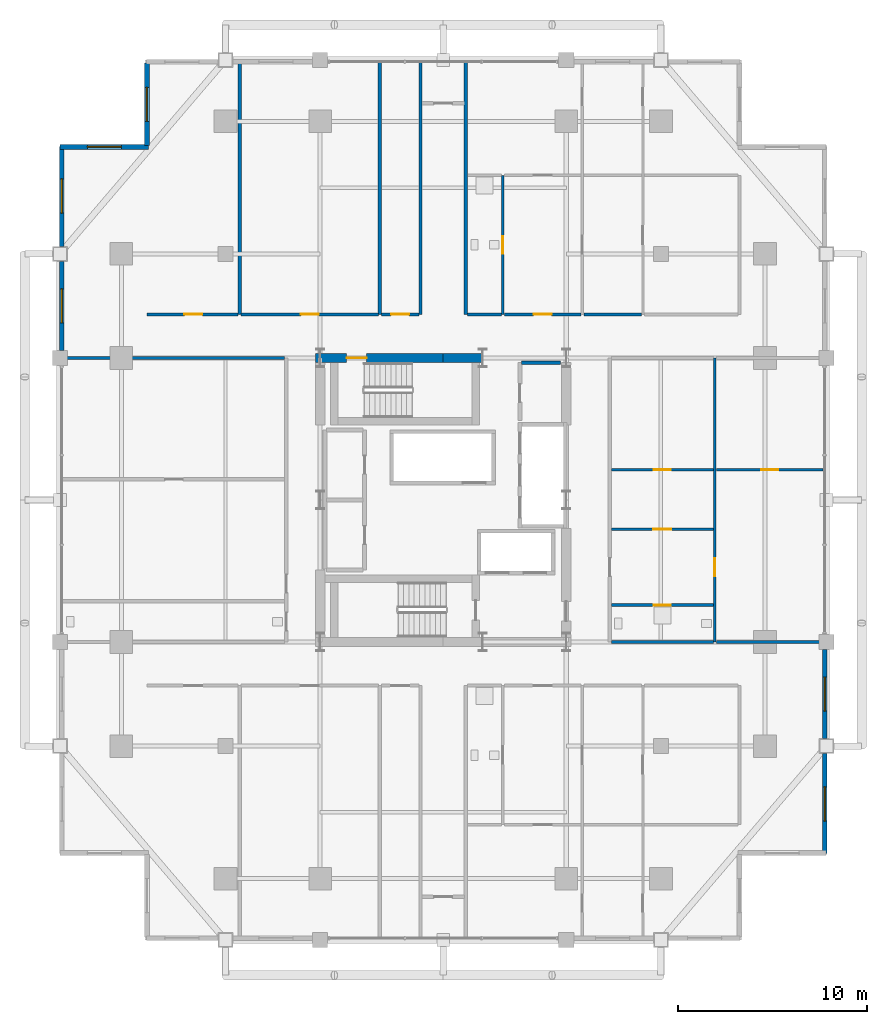
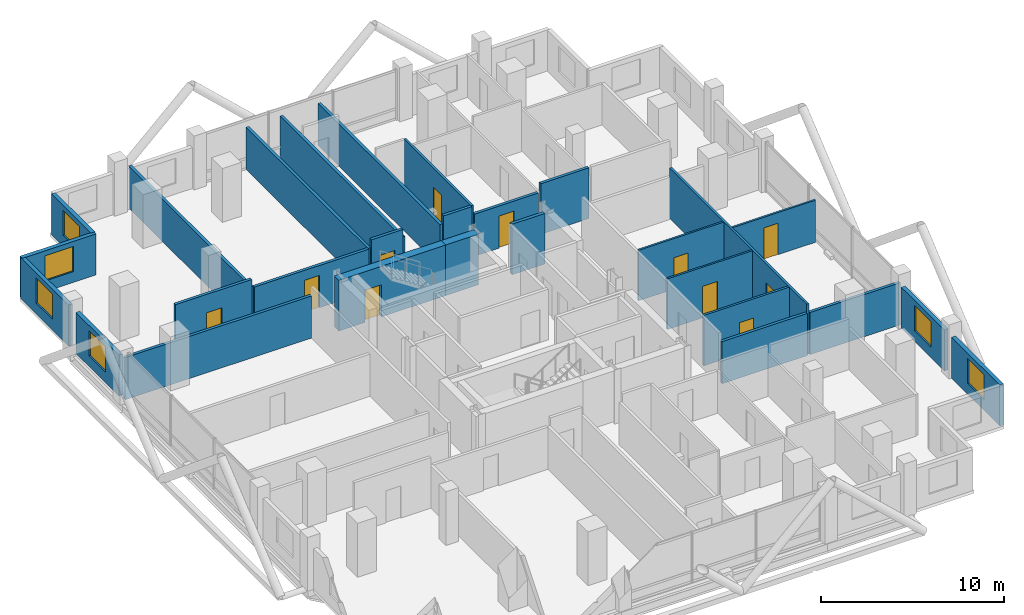
# One storey, part 21 of 24: 28 walls, 11 doors, 6 windows, 17 openings.
"""IFC4 building model written with IfcOpenShell, lengths in metres."""

from ifc_helpers import new_model, si_unit, direction, frame, frame_2d, origin, place, context, subcontext, project, spatial, rectangle, extrude, material, layer, layer_set, type_object, element, fill, save


model = new_model("IFC4")

# Units and contexts
model_context = context("Model", 3, precision=1e-05, world=origin(), true_north=direction((0.0, 1.0)))
body_context = subcontext(model_context, "Body", "Model", "MODEL_VIEW")
ifc_project = project(units=[si_unit("LENGTHUNIT", "METRE"), si_unit("AREAUNIT", "SQUARE_METRE"), si_unit("VOLUMEUNIT", "CUBIC_METRE"), si_unit("PLANEANGLEUNIT", "RADIAN"), si_unit("MASSUNIT", "GRAM", prefix="KILO")], contexts=[model_context])

# Site, building, storey
site_placement = place(None, origin())
site = spatial("IfcSite", under=ifc_project, at=site_placement, CompositionType="ELEMENT")
building_placement = place(site_placement, origin())
building = spatial("IfcBuilding", under=site, at=building_placement, Name="Barlavira Tower and Art Museum", CompositionType="ELEMENT")
storey_placement = place(building_placement, frame((0.0, 0.0, 154.800048828125)))
storey = spatial("IfcBuildingStorey", under=building, at=storey_placement, Name="L39", CompositionType="ELEMENT", Elevation=154.800048828125)

# Wall, opening, door
ifc_material_1 = material(Name="Gypsum acoustic stud partition", Category="gypsum")
ifc_layer_1 = layer(ifc_material_1, 0.1201171875, Name="Gypsum acoustic stud partition")
ifc_layer_set_1 = layer_set([ifc_layer_1], Name="Gypsum acoustic stud partition")
wall_type_1 = type_object("IfcWallType", Name="Apartment Internal Acoustic Partition 120", PredefinedType="PARTITIONING", material=ifc_layer_set_1)
wall_1_placement = place(storey_placement, frame((8.8798828125, -1.550048828125, 0.0), z_axis=(0.0, 0.0, 1.0), x_axis=(1.0, 0.0, 0.0)))
wall_1 = element("IfcWall", 1, at=wall_1_placement, inside=storey, type_object=wall_type_1, Name="L39 Partition Wall 41", PredefinedType="PARTITIONING", context=body_context, shape_type="SweptSolid", body=[
    extrude(rectangle(XDim=5.39013671875, YDim=0.1201171875, at=frame_2d((2.695068359375, 0.0))), origin(), (0.0, 0.0, 1.0), 3.3798828125),
])
opening_1_placement = place(wall_1_placement, frame((2.215087890625, 0.0, 0.0)))
opening_1 = element("IfcOpeningElement", 2, at=opening_1_placement, cuts=wall_1, Name="Opening D-02", PredefinedType="OPENING", context=body_context, shape_type="SweptSolid", body=[
    extrude(rectangle(XDim=0.949951171875, YDim=2.10009765625, at=frame_2d((0.47509765625, 1.050048828125))), frame((0.0, 0.070068359375, 0.0), z_axis=(0.0, -1.0, 0.0), x_axis=(1.0, 0.0, 0.0)), (0.0, 0.0, 1.0), 0.14013671875),
])
ifc_material_2 = material(Name="Engineered coastal hardwood", Category="wood")
door_type_1 = type_object("IfcDoorType", Name="Living and Salon Glazed-Leaf Door 950x2100", OperationType="NOTDEFINED", PredefinedType="DOOR", material=ifc_material_2)
door_1_placement = place(opening_1_placement, origin())
door_1 = element("IfcDoor", 3, at=door_1_placement, inside=storey, type_object=door_type_1, Name="Apartment E1 Kitchen Door", OperationType="SINGLE_SWING_RIGHT", OverallHeight=2.10009765625, OverallWidth=0.949951171875, PredefinedType="DOOR", context=body_context, shape_type="SweptSolid", body=[
    extrude(rectangle(XDim=0.949951171875, YDim=2.10009765625, at=frame_2d((0.47509765625, 1.050048828125))), frame((0.0, 0.02490234375, 0.0), z_axis=(0.0, -1.0, 0.0), x_axis=(1.0, 0.0, 0.0)), (0.0, 0.0, 1.0), 0.050048828125),
])
fill(opening_1, door_1)

wall_2_placement = place(storey_placement, frame((8.8798828125, 1.60009765625, 0.0), z_axis=(0.0, 0.0, 1.0), x_axis=(1.0, 0.0, 0.0)))
wall_2 = element("IfcWall", 4, at=wall_2_placement, inside=storey, type_object=wall_type_1, Name="L39 Partition Wall 44", PredefinedType="PARTITIONING", context=body_context, shape_type="SweptSolid", body=[
    extrude(rectangle(XDim=5.39013671875, YDim=0.1201171875, at=frame_2d((2.695068359375, 0.0))), origin(), (0.0, 0.0, 1.0), 3.3798828125),
])
opening_2_placement = place(wall_2_placement, frame((2.239990234375, 0.0, 0.0)))
opening_2 = element("IfcOpeningElement", 5, at=opening_2_placement, cuts=wall_2, Name="Opening D-01", PredefinedType="OPENING", context=body_context, shape_type="SweptSolid", body=[
    extrude(rectangle(XDim=0.89990234375, YDim=2.10009765625, at=frame_2d((0.449951171875, 1.050048828125))), frame((0.0, 0.070068359375, 0.0), z_axis=(0.0, -1.0, 0.0), x_axis=(1.0, 0.0, 0.0)), (0.0, 0.0, 1.0), 0.14013671875),
])
door_type_2 = type_object("IfcDoorType", Name="Internal Bedroom Timber Flush Door 900x2100", OperationType="NOTDEFINED", PredefinedType="DOOR", material=ifc_material_2)
door_2_placement = place(opening_2_placement, origin())
door_2 = element("IfcDoor", 6, at=door_2_placement, inside=storey, type_object=door_type_2, Name="Apartment E1 Walk-In Dressing Room Door", OperationType="SINGLE_SWING_LEFT", OverallHeight=2.10009765625, OverallWidth=0.89990234375, PredefinedType="DOOR", context=body_context, shape_type="SweptSolid", body=[
    extrude(rectangle(XDim=0.89990234375, YDim=2.10009765625, at=frame_2d((0.449951171875, 1.050048828125))), frame((0.0, 0.02490234375, 0.0), z_axis=(0.0, -1.0, 0.0), x_axis=(1.0, 0.0, 0.0)), (0.0, 0.0, 1.0), 0.050048828125),
])
fill(opening_2, door_2)

wall_3_placement = place(storey_placement, frame((14.429931640625, 1.60009765625, 0.0), z_axis=(0.0, 0.0, 1.0), x_axis=(1.0, 0.0, 0.0)))
wall_3 = element("IfcWall", 7, at=wall_3_placement, inside=storey, type_object=wall_type_1, Name="L39 Partition Wall 45", PredefinedType="PARTITIONING", context=body_context, shape_type="SweptSolid", body=[
    extrude(rectangle(XDim=5.64013671875, YDim=0.1201171875, at=frame_2d((2.820068359375, 0.0))), origin(), (0.0, 0.0, 1.0), 2.81591796875),
])
opening_3_placement = place(wall_3_placement, frame((2.3701171875, 0.0, 0.0)))
opening_3 = element("IfcOpeningElement", 8, at=opening_3_placement, cuts=wall_3, Name="Opening D-01", PredefinedType="OPENING", context=body_context, shape_type="SweptSolid", body=[
    extrude(rectangle(XDim=0.89990234375, YDim=2.10009765625, at=frame_2d((0.449951171875, 1.050048828125))), frame((0.0, 0.070068359375, 0.0), z_axis=(0.0, -1.0, 0.0), x_axis=(1.0, 0.0, 0.0)), (0.0, 0.0, 1.0), 0.14013671875),
])
door_3_placement = place(opening_3_placement, origin())
door_3 = element("IfcDoor", 9, at=door_3_placement, inside=storey, type_object=door_type_2, Name="Apartment E1 Bedroom 1 Door", OperationType="SINGLE_SWING_LEFT", OverallHeight=2.10009765625, OverallWidth=0.89990234375, PredefinedType="DOOR", context=body_context, shape_type="SweptSolid", body=[
    extrude(rectangle(XDim=0.89990234375, YDim=2.10009765625, at=frame_2d((0.449951171875, 1.050048828125))), frame((0.0, 0.02490234375, 0.0), z_axis=(0.0, -1.0, 0.0), x_axis=(1.0, 0.0, 0.0)), (0.0, 0.0, 1.0), 0.050048828125),
])
fill(opening_3, door_3)

ifc_material_3 = material(Name="Concrete C60", Category="concrete")
ifc_layer_2 = layer(ifc_material_3, 0.5, Name="Concrete C60")
ifc_layer_set_2 = layer_set([ifc_layer_2], Name="Concrete C60")
wall_type_2 = type_object("IfcWallType", Name="Core Structural Shear Wall 500 Concrete C60", PredefinedType="SHEAR", material=ifc_layer_set_2)
wall_4_placement = place(storey_placement, frame((-6.75, 7.5, 0.0), z_axis=(0.0, 0.0, 1.0), x_axis=(1.0, 0.0, 0.0)))
wall_4 = element("IfcWall", 10, at=wall_4_placement, inside=storey, type_object=wall_type_2, Name="L39 Core Shear Wall CS-NW", PredefinedType="SHEAR", context=body_context, shape_type="SweptSolid", body=[
    extrude(rectangle(XDim=6.75, YDim=0.5, at=frame_2d((3.375, 0.0))), origin(), (0.0, 0.0, 1.0), 3.3798828125),
])
opening_4_placement = place(wall_4_placement, frame((1.64990234375, 0.0, 0.0)))
opening_4 = element("IfcOpeningElement", 11, at=opening_4_placement, cuts=wall_4, Name="Opening FD-90", PredefinedType="OPENING", context=body_context, shape_type="SweptSolid", body=[
    extrude(rectangle(XDim=1.050048828125, YDim=2.14990234375, at=frame_2d((0.52490234375, 1.074951171875))), frame((0.0, 0.260009765625, 0.0), z_axis=(0.0, -1.0, 0.0), x_axis=(1.0, 0.0, 0.0)), (0.0, 0.0, 1.0), 0.52001953125),
])
ifc_material_4 = material(Name="Brushed stainless steel", Category="steel")
door_type_3 = type_object("IfcDoorType", Name="Stair and Refuge Fire Door 1050x2150 FD90S", OperationType="NOTDEFINED", PredefinedType="DOOR", material=ifc_material_4)
door_4_placement = place(opening_4_placement, origin())
door_4 = element("IfcDoor", 12, at=door_4_placement, inside=storey, type_object=door_type_3, Name="L39 Stair ST-T2 Fire Door", OperationType="SINGLE_SWING_LEFT", OverallHeight=2.14990234375, OverallWidth=1.050048828125, PredefinedType="DOOR", context=body_context, shape_type="SweptSolid", body=[
    extrude(rectangle(XDim=1.050048828125, YDim=2.14990234375, at=frame_2d((0.52490234375, 1.074951171875))), frame((0.0, 0.02490234375, 0.0), z_axis=(0.0, -1.0, 0.0), x_axis=(1.0, 0.0, 0.0)), (0.0, 0.0, 1.0), 0.050048828125),
])
fill(opening_4, door_4)

# Walls
wall_5_placement = place(storey_placement, frame((0.0, 7.5, 0.0), z_axis=(0.0, 0.0, 1.0), x_axis=(1.0, 0.0, 0.0)))
element("IfcWall", 13, at=wall_5_placement, inside=storey, type_object=wall_type_2, Name="L39 Core Shear Wall CS-EN", PredefinedType="SHEAR", context=body_context, shape_type="SweptSolid", body=[
    extrude(rectangle(XDim=2.080078125, YDim=0.5, at=frame_2d((1.0400390625, 0.0))), origin(), (0.0, 0.0, 1.0), 3.3798828125),
])
ifc_material_5 = material(Name="Autoclaved aerated concrete masonry", Category="masonry")
ifc_layer_3 = layer(ifc_material_5, 0.199951171875, Name="Autoclaved aerated concrete masonry")
ifc_layer_set_3 = layer_set([ifc_layer_3], Name="Autoclaved aerated concrete masonry")
wall_type_3 = type_object("IfcWallType", Name="Fire Compartment and Shaft Wall 200", PredefinedType="SOLIDWALL", material=ifc_layer_set_3)
wall_6_placement = place(storey_placement, frame((4.1298828125, 7.25, 0.0), z_axis=(0.0, 0.0, 1.0), x_axis=(1.0, 0.0, 0.0)))
element("IfcWall", 14, at=wall_6_placement, inside=storey, type_object=wall_type_3, Name="L39 Partition Wall 47", PredefinedType="SOLIDWALL", context=body_context, shape_type="SweptSolid", body=[
    extrude(rectangle(XDim=2.070068359375, YDim=0.199951171875, at=frame_2d((1.03515625, 0.0))), origin(), (0.0, 0.0, 1.0), 3.3798828125),
])
ifc_layer_4 = layer(ifc_material_1, 0.179931640625, Name="Gypsum acoustic stud partition")
ifc_layer_set_4 = layer_set([ifc_layer_4], Name="Gypsum acoustic stud partition")
wall_type_4 = type_object("IfcWallType", Name="Inter-Tenancy Party Partition Wall 180", PredefinedType="PARTITIONING", material=ifc_layer_set_4)
for number, where, z_axis, x_axis, name in (
    (15, (-10.75, 9.800048828125, 0.0), (0.0, 0.0, 1.0), (0.0, 1.0, 0.0), "L39 Partition Wall 2"),
    (16, (-3.35009765625, 9.800048828125, 0.0), (0.0, 0.0, 1.0), (0.0, 1.0, 0.0), "L39 Partition Wall 7"),
    (17, (-1.199951171875, 9.800048828125, 0.0), (0.0, 0.0, 1.0), (0.0, 1.0, 0.0), "L39 Partition Wall 9"),
    (18, (1.199951171875, 9.800048828125, 0.0), (0.0, 0.0, 1.0), (0.0, 1.0, 0.0), "L39 Partition Wall 11"),
):
    element("IfcWall", number, at=place(storey_placement, frame(where, z_axis=z_axis, x_axis=x_axis)), inside=storey, type_object=wall_type_4, Name=name, PredefinedType="PARTITIONING", context=body_context, shape_type="SweptSolid", body=[
        extrude(rectangle(XDim=13.349853515625, YDim=0.179931640625, at=frame_2d((6.6748046875, 0.0))), origin(), (0.0, 0.0, 1.0), 2.81591796875),
    ])
wall_7_placement = place(storey_placement, frame((8.8798828125, -7.5, 0.0), z_axis=(0.0, 0.0, 1.0), x_axis=(1.0, 0.0, 0.0)))
element("IfcWall", 19, at=wall_7_placement, inside=storey, type_object=wall_type_4, Name="L39 Partition Wall 36", PredefinedType="PARTITIONING", context=body_context, shape_type="SweptSolid", body=[
    extrude(rectangle(XDim=5.39013671875, YDim=0.179931640625, at=frame_2d((2.695068359375, 0.0))), origin(), (0.0, 0.0, 1.0), 2.81591796875),
])
wall_8_placement = place(storey_placement, frame((14.429931640625, -7.5, 0.0), z_axis=(0.0, 0.0, 1.0), x_axis=(1.0, 0.0, 0.0)))
element("IfcWall", 20, at=wall_8_placement, inside=storey, type_object=wall_type_4, Name="L39 Partition Wall 37", PredefinedType="PARTITIONING", context=body_context, shape_type="SweptSolid", body=[
    extrude(rectangle(XDim=5.719970703125, YDim=0.179931640625, at=frame_2d((2.85986328125, 0.0))), origin(), (0.0, 0.0, 1.0), 2.81591796875),
])
wall_9_placement = place(storey_placement, frame((-20.14990234375, 7.5, 0.0), z_axis=(0.0, 0.0, 1.0), x_axis=(1.0, 0.0, 0.0)))
element("IfcWall", 21, at=wall_9_placement, inside=storey, type_object=wall_type_4, Name="L39 Partition Wall 48", PredefinedType="PARTITIONING", context=body_context, shape_type="SweptSolid", body=[
    extrude(rectangle(XDim=11.77001953125, YDim=0.179931640625, at=frame_2d((5.885009765625, 0.0))), origin(), (0.0, 0.0, 1.0), 2.81591796875),
])

# Wall, opening, door
wall_10_placement = place(storey_placement, frame((-15.64990234375, 9.800048828125, 0.0), z_axis=(0.0, 0.0, 1.0), x_axis=(1.0, 0.0, 0.0)))
wall_10 = element("IfcWall", 22, at=wall_10_placement, inside=storey, type_object=wall_type_4, Name="L39 Partition Wall 51", PredefinedType="PARTITIONING", context=body_context, shape_type="SweptSolid", body=[
    extrude(rectangle(XDim=4.81982421875, YDim=0.179931640625, at=frame_2d((2.409912109375, 0.0))), origin(), (0.0, 0.0, 1.0), 3.3798828125),
])
opening_5_placement = place(wall_10_placement, frame((1.97509765625, 0.0, 0.0)))
opening_5 = element("IfcOpeningElement", 23, at=opening_5_placement, cuts=wall_10, Name="Opening FD-60", PredefinedType="OPENING", context=body_context, shape_type="SweptSolid", body=[
    extrude(rectangle(XDim=0.949951171875, YDim=2.14990234375, at=frame_2d((0.47509765625, 1.074951171875))), frame((0.0, 0.10009765625, 0.0), z_axis=(0.0, -1.0, 0.0), x_axis=(1.0, 0.0, 0.0)), (0.0, 0.0, 1.0), 0.199951171875),
])
door_type_4 = type_object("IfcDoorType", Name="Apartment Entrance and Riser Fire Door 950x2150 FD60S", OperationType="NOTDEFINED", PredefinedType="DOOR", material=ifc_material_4)
door_5_placement = place(opening_5_placement, origin())
door_5 = element("IfcDoor", 24, at=door_5_placement, inside=storey, type_object=door_type_4, Name="Resident Art Collectors Salon Door", OperationType="SINGLE_SWING_LEFT", OverallHeight=2.14990234375, OverallWidth=0.949951171875, PredefinedType="DOOR", context=body_context, shape_type="SweptSolid", body=[
    extrude(rectangle(XDim=0.949951171875, YDim=2.14990234375, at=frame_2d((0.47509765625, 1.074951171875))), frame((0.0, 0.02490234375, 0.0), z_axis=(0.0, -1.0, 0.0), x_axis=(1.0, 0.0, 0.0)), (0.0, 0.0, 1.0), 0.050048828125),
])
fill(opening_5, door_5)

wall_11_placement = place(storey_placement, frame((-10.669921875, 9.800048828125, 0.0), z_axis=(0.0, 0.0, 1.0), x_axis=(1.0, 0.0, 0.0)))
wall_11 = element("IfcWall", 25, at=wall_11_placement, inside=storey, type_object=wall_type_4, Name="L39 Partition Wall 52", PredefinedType="PARTITIONING", context=body_context, shape_type="SweptSolid", body=[
    extrude(rectangle(XDim=7.239990234375, YDim=0.179931640625, at=frame_2d((3.6201171875, 0.0))), origin(), (0.0, 0.0, 1.0), 2.81591796875),
])
opening_6_placement = place(wall_11_placement, frame((3.155029296875, 0.0, 0.0)))
opening_6 = element("IfcOpeningElement", 26, at=opening_6_placement, cuts=wall_11, Name="Opening FD-60", PredefinedType="OPENING", context=body_context, shape_type="SweptSolid", body=[
    extrude(rectangle(XDim=0.949951171875, YDim=2.14990234375, at=frame_2d((0.47509765625, 1.074951171875))), frame((0.0, 0.10009765625, 0.0), z_axis=(0.0, -1.0, 0.0), x_axis=(1.0, 0.0, 0.0)), (0.0, 0.0, 1.0), 0.199951171875),
])
door_6_placement = place(opening_6_placement, origin())
door_6 = element("IfcDoor", 27, at=door_6_placement, inside=storey, type_object=door_type_4, Name="Sculpture and Painting Workshop Door", OperationType="SINGLE_SWING_RIGHT", OverallHeight=2.14990234375, OverallWidth=0.949951171875, PredefinedType="DOOR", context=body_context, shape_type="SweptSolid", body=[
    extrude(rectangle(XDim=0.949951171875, YDim=2.14990234375, at=frame_2d((0.47509765625, 1.074951171875))), frame((0.0, 0.02490234375, 0.0), z_axis=(0.0, -1.0, 0.0), x_axis=(1.0, 0.0, 0.0)), (0.0, 0.0, 1.0), 0.050048828125),
])
fill(opening_6, door_6)

wall_12_placement = place(storey_placement, frame((-3.27001953125, 9.800048828125, 0.0), z_axis=(0.0, 0.0, 1.0), x_axis=(1.0, 0.0, 0.0)))
wall_12 = element("IfcWall", 28, at=wall_12_placement, inside=storey, type_object=wall_type_4, Name="L39 Partition Wall 53", PredefinedType="PARTITIONING", context=body_context, shape_type="SweptSolid", body=[
    extrude(rectangle(XDim=1.989990234375, YDim=0.179931640625, at=frame_2d((0.9951171875, 0.0))), origin(), (0.0, 0.0, 1.0), 3.3798828125),
])
opening_7_placement = place(wall_12_placement, frame((0.52490234375, 0.0, 0.0)))
opening_7 = element("IfcOpeningElement", 29, at=opening_7_placement, cuts=wall_12, Name="Opening FD-60", PredefinedType="OPENING", context=body_context, shape_type="SweptSolid", body=[
    extrude(rectangle(XDim=0.949951171875, YDim=2.14990234375, at=frame_2d((0.47509765625, 1.074951171875))), frame((0.0, 0.10009765625, 0.0), z_axis=(0.0, -1.0, 0.0), x_axis=(1.0, 0.0, 0.0)), (0.0, 0.0, 1.0), 0.199951171875),
])
door_7_placement = place(opening_7_placement, origin())
door_7 = element("IfcDoor", 30, at=door_7_placement, inside=storey, type_object=door_type_4, Name="Climate-Controlled Wine Tasting Room Door", OperationType="SINGLE_SWING_LEFT", OverallHeight=2.14990234375, OverallWidth=0.949951171875, PredefinedType="DOOR", context=body_context, shape_type="SweptSolid", body=[
    extrude(rectangle(XDim=0.949951171875, YDim=2.14990234375, at=frame_2d((0.47509765625, 1.074951171875))), frame((0.0, 0.02490234375, 0.0), z_axis=(0.0, -1.0, 0.0), x_axis=(1.0, 0.0, 0.0)), (0.0, 0.0, 1.0), 0.050048828125),
])
fill(opening_7, door_7)

# Wall
wall_13_placement = place(storey_placement, frame((1.280029296875, 9.800048828125, 0.0), z_axis=(0.0, 0.0, 1.0), x_axis=(1.0, 0.0, 0.0)))
element("IfcWall", 31, at=wall_13_placement, inside=storey, type_object=wall_type_4, Name="L39 Partition Wall 54", PredefinedType="PARTITIONING", context=body_context, shape_type="SweptSolid", body=[
    extrude(rectangle(XDim=1.7900390625, YDim=0.179931640625, at=frame_2d((0.89501953125, 0.0))), origin(), (0.0, 0.0, 1.0), 3.3798828125),
])

# Wall, opening, door
wall_14_placement = place(storey_placement, frame((3.22998046875, 9.800048828125, 0.0), z_axis=(0.0, 0.0, 1.0), x_axis=(1.0, 0.0, 0.0)))
wall_14 = element("IfcWall", 32, at=wall_14_placement, inside=storey, type_object=wall_type_4, Name="L39 Partition Wall 55", PredefinedType="PARTITIONING", context=body_context, shape_type="SweptSolid", body=[
    extrude(rectangle(XDim=4.0400390625, YDim=0.179931640625, at=frame_2d((2.02001953125, 0.0))), origin(), (0.0, 0.0, 1.0), 2.81591796875),
])
opening_8_placement = place(wall_14_placement, frame((1.544921875, 0.0, 0.0)))
opening_8 = element("IfcOpeningElement", 33, at=opening_8_placement, cuts=wall_14, Name="Opening FD-60", PredefinedType="OPENING", context=body_context, shape_type="SweptSolid", body=[
    extrude(rectangle(XDim=0.949951171875, YDim=2.14990234375, at=frame_2d((0.47509765625, 1.074951171875))), frame((0.0, 0.10009765625, 0.0), z_axis=(0.0, -1.0, 0.0), x_axis=(1.0, 0.0, 0.0)), (0.0, 0.0, 1.0), 0.199951171875),
])
door_8_placement = place(opening_8_placement, origin())
door_8 = element("IfcDoor", 34, at=door_8_placement, inside=storey, type_object=door_type_4, Name="Apartment Entrance Hall NE1 Door", OperationType="SINGLE_SWING_LEFT", OverallHeight=2.14990234375, OverallWidth=0.949951171875, PredefinedType="DOOR", context=body_context, shape_type="SweptSolid", body=[
    extrude(rectangle(XDim=0.949951171875, YDim=2.14990234375, at=frame_2d((0.47509765625, 1.074951171875))), frame((0.0, 0.02490234375, 0.0), z_axis=(0.0, -1.0, 0.0), x_axis=(1.0, 0.0, 0.0)), (0.0, 0.0, 1.0), 0.050048828125),
])
fill(opening_8, door_8)

# Wall
wall_15_placement = place(storey_placement, frame((7.429931640625, 9.800048828125, 0.0), z_axis=(0.0, 0.0, 1.0), x_axis=(1.0, 0.0, 0.0)))
element("IfcWall", 35, at=wall_15_placement, inside=storey, type_object=wall_type_4, Name="L39 Partition Wall 56", PredefinedType="PARTITIONING", context=body_context, shape_type="SweptSolid", body=[
    extrude(rectangle(XDim=3.0400390625, YDim=0.179931640625, at=frame_2d((1.52001953125, 0.0))), origin(), (0.0, 0.0, 1.0), 3.3798828125),
])

# Wall, opening, door
ifc_layer_5 = layer(ifc_material_1, 0.139892578125, Name="Gypsum acoustic stud partition")
ifc_layer_set_5 = layer_set([ifc_layer_5], Name="Gypsum acoustic stud partition")
wall_type_5 = type_object("IfcWallType", Name="Moisture-Resistant Bathroom Partition 140", PredefinedType="PARTITIONING", material=ifc_layer_set_5)
wall_16_placement = place(storey_placement, frame((3.14990234375, 9.800048828125, 0.0), z_axis=(0.0, 0.0, 1.0), x_axis=(0.0, 1.0, 0.0)))
wall_16 = element("IfcWall", 36, at=wall_16_placement, inside=storey, type_object=wall_type_5, Name="L39 Partition Wall 13", PredefinedType="PARTITIONING", context=body_context, shape_type="SweptSolid", body=[
    extrude(rectangle(XDim=7.349853515625, YDim=0.139892578125, at=frame_2d((3.6748046875, 0.0))), origin(), (0.0, 0.0, 1.0), 3.3798828125),
])
opening_9_placement = place(wall_16_placement, frame((3.219970703125, 0.0, 0.0)))
opening_9 = element("IfcOpeningElement", 37, at=opening_9_placement, cuts=wall_16, Name="Opening D-WC", PredefinedType="OPENING", context=body_context, shape_type="SweptSolid", body=[
    extrude(rectangle(XDim=0.89990234375, YDim=2.10009765625, at=frame_2d((0.449951171875, 1.050048828125))), frame((0.0, 0.080078125, 0.0), z_axis=(0.0, -1.0, 0.0), x_axis=(1.0, 0.0, 0.0)), (0.0, 0.0, 1.0), 0.159912109375),
])
door_type_5 = type_object("IfcDoorType", Name="Accessible Bathroom Flush Door 900x2100", OperationType="NOTDEFINED", PredefinedType="DOOR", material=ifc_material_2)
door_9_placement = place(opening_9_placement, origin())
door_9 = element("IfcDoor", 38, at=door_9_placement, inside=storey, type_object=door_type_5, Name="Apartment NE1 Hall Bathroom Door", OperationType="SINGLE_SWING_RIGHT", OverallHeight=2.10009765625, OverallWidth=0.89990234375, PredefinedType="DOOR", context=body_context, shape_type="SweptSolid", body=[
    extrude(rectangle(XDim=0.89990234375, YDim=2.10009765625, at=frame_2d((0.449951171875, 1.050048828125))), frame((0.0, 0.02490234375, 0.0), z_axis=(0.0, -1.0, 0.0), x_axis=(1.0, 0.0, 0.0)), (0.0, 0.0, 1.0), 0.050048828125),
])
fill(opening_9, door_9)

wall_17_placement = place(storey_placement, frame((14.35009765625, -7.5, 0.0), z_axis=(0.0, 0.0, 1.0), x_axis=(0.0, 1.0, 0.0)))
wall_17 = element("IfcWall", 39, at=wall_17_placement, inside=storey, type_object=wall_type_5, Name="L39 Partition Wall 20", PredefinedType="PARTITIONING", context=body_context, shape_type="SweptSolid", body=[
    extrude(rectangle(XDim=15.0, YDim=0.139892578125, at=frame_2d((7.5, 0.0))), origin(), (0.0, 0.0, 1.0), 3.3798828125),
])
opening_10_placement = place(wall_17_placement, frame((3.47509765625, 0.0, 0.0)))
opening_10 = element("IfcOpeningElement", 40, at=opening_10_placement, cuts=wall_17, Name="Opening D-02", PredefinedType="OPENING", context=body_context, shape_type="SweptSolid", body=[
    extrude(rectangle(XDim=0.949951171875, YDim=2.10009765625, at=frame_2d((0.47509765625, 1.050048828125))), frame((0.0, 0.080078125, 0.0), z_axis=(0.0, -1.0, 0.0), x_axis=(1.0, 0.0, 0.0)), (0.0, 0.0, 1.0), 0.159912109375),
])
door_10_placement = place(opening_10_placement, origin())
door_10 = element("IfcDoor", 41, at=door_10_placement, inside=storey, type_object=door_type_1, Name="Apartment E1 Living Lounge Door", OperationType="SINGLE_SWING_RIGHT", OverallHeight=2.10009765625, OverallWidth=0.949951171875, PredefinedType="DOOR", context=body_context, shape_type="SweptSolid", body=[
    extrude(rectangle(XDim=0.949951171875, YDim=2.10009765625, at=frame_2d((0.47509765625, 1.050048828125))), frame((0.0, 0.02490234375, 0.0), z_axis=(0.0, -1.0, 0.0), x_axis=(1.0, 0.0, 0.0)), (0.0, 0.0, 1.0), 0.050048828125),
])
fill(opening_10, door_10)

wall_18_placement = place(storey_placement, frame((8.8798828125, -5.550048828125, 0.0), z_axis=(0.0, 0.0, 1.0), x_axis=(1.0, 0.0, 0.0)))
wall_18 = element("IfcWall", 42, at=wall_18_placement, inside=storey, type_object=wall_type_5, Name="L39 Partition Wall 38", PredefinedType="PARTITIONING", context=body_context, shape_type="SweptSolid", body=[
    extrude(rectangle(XDim=5.39013671875, YDim=0.139892578125, at=frame_2d((2.695068359375, 0.0))), origin(), (0.0, 0.0, 1.0), 3.3798828125),
])
opening_11_placement = place(wall_18_placement, frame((2.239990234375, 0.0, 0.0)))
opening_11 = element("IfcOpeningElement", 43, at=opening_11_placement, cuts=wall_18, Name="Opening D-WC", PredefinedType="OPENING", context=body_context, shape_type="SweptSolid", body=[
    extrude(rectangle(XDim=0.89990234375, YDim=2.10009765625, at=frame_2d((0.449951171875, 1.050048828125))), frame((0.0, 0.080078125, 0.0), z_axis=(0.0, -1.0, 0.0), x_axis=(1.0, 0.0, 0.0)), (0.0, 0.0, 1.0), 0.159912109375),
])
door_11_placement = place(opening_11_placement, origin())
door_11 = element("IfcDoor", 44, at=door_11_placement, inside=storey, type_object=door_type_5, Name="Apartment E1 Hall Bathroom Door", OperationType="SINGLE_SWING_RIGHT", OverallHeight=2.10009765625, OverallWidth=0.89990234375, PredefinedType="DOOR", context=body_context, shape_type="SweptSolid", body=[
    extrude(rectangle(XDim=0.89990234375, YDim=2.10009765625, at=frame_2d((0.449951171875, 1.050048828125))), frame((0.0, 0.02490234375, 0.0), z_axis=(0.0, -1.0, 0.0), x_axis=(1.0, 0.0, 0.0)), (0.0, 0.0, 1.0), 0.050048828125),
])
fill(opening_11, door_11)

# Wall, opening, window
ifc_material_6 = material(Name="Precast concrete C40", Category="concrete")
ifc_layer_6 = layer(ifc_material_6, 0.25, Name="Precast concrete C40")
ifc_layer_set_6 = layer_set([ifc_layer_6], Name="Precast concrete C40")
wall_type_6 = type_object("IfcWallType", Name="Notched Corner Spandrel Wall 250 Precast Concrete C40", PredefinedType="SOLIDWALL", material=ifc_layer_set_6)
wall_19_placement = place(storey_placement, frame((-20.14990234375, 18.675048828125, 0.0), z_axis=(0.0, 0.0, 1.0), x_axis=(0.0, -1.0, 0.0)))
wall_19 = element("IfcWall", 45, at=wall_19_placement, inside=storey, type_object=wall_type_6, Name="L39 Coastal Facade Pier Wall CW2-L39-W-1", PredefinedType="SOLIDWALL", context=body_context, shape_type="SweptSolid", body=[
    extrude(rectangle(XDim=5.280029296875, YDim=0.25, at=frame_2d((2.64013671875, 0.0))), origin(), (0.0, 0.0, 1.0), 2.73583984375),
])
opening_12_placement = place(wall_19_placement, frame((1.718017578125, 0.0, 0.719970703125)))
opening_12 = element("IfcOpeningElement", 46, at=opening_12_placement, cuts=wall_19, Name="Opening WN-01", PredefinedType="OPENING", context=body_context, shape_type="SweptSolid", body=[
    extrude(rectangle(XDim=1.800048828125, YDim=1.679931640625, at=frame_2d((0.89990234375, 0.83984375))), frame((0.0, 0.135009765625, 0.0), z_axis=(0.0, -1.0, 0.0), x_axis=(1.0, 0.0, 0.0)), (0.0, 0.0, 1.0), 0.27001953125),
])
ifc_material_7 = material(Name="Low-iron coastal laminated glass", Category="glass")
window_type = type_object("IfcWindowType", Name="Recessed Notch Corner Punch Window 1800x1680", PartitioningType="SINGLE_PANEL", PredefinedType="WINDOW", material=ifc_material_7)
window_1_placement = place(opening_12_placement, origin())
window_1 = element("IfcWindow", 47, at=window_1_placement, inside=storey, type_object=window_type, Name="L39 Punched Facade Window EWP-CW2-L39-W-1-1", OverallHeight=1.679931640625, OverallWidth=1.800048828125, PartitioningType="SINGLE_PANEL", PredefinedType="WINDOW", context=body_context, shape_type="SweptSolid", body=[
    extrude(rectangle(XDim=1.800048828125, YDim=1.679931640625, at=frame_2d((0.89990234375, 0.83984375))), frame((0.0, 0.030029296875, 0.0), z_axis=(0.0, -1.0, 0.0), x_axis=(1.0, 0.0, 0.0)), (0.0, 0.0, 1.0), 0.06005859375),
])
fill(opening_12, window_1)

wall_20_placement = place(storey_placement, frame((-20.14990234375, 12.60498046875, 0.0), z_axis=(0.0, 0.0, 1.0), x_axis=(0.0, -1.0, 0.0)))
wall_20 = element("IfcWall", 48, at=wall_20_placement, inside=storey, type_object=wall_type_6, Name="L39 Coastal Facade Pier Wall CW2-L39-W-2", PredefinedType="SOLIDWALL", context=body_context, shape_type="SweptSolid", body=[
    extrude(rectangle(XDim=4.7099609375, YDim=0.25, at=frame_2d((2.35498046875, 0.0))), origin(), (0.0, 0.0, 1.0), 2.73583984375),
])
opening_13_placement = place(wall_20_placement, frame((1.455078125, 0.0, 0.719970703125)))
opening_13 = element("IfcOpeningElement", 49, at=opening_13_placement, cuts=wall_20, Name="Opening WN-01", PredefinedType="OPENING", context=body_context, shape_type="SweptSolid", body=[
    extrude(rectangle(XDim=1.800048828125, YDim=1.679931640625, at=frame_2d((0.89990234375, 0.83984375))), frame((0.0, 0.135009765625, 0.0), z_axis=(0.0, -1.0, 0.0), x_axis=(1.0, 0.0, 0.0)), (0.0, 0.0, 1.0), 0.27001953125),
])
window_2_placement = place(opening_13_placement, origin())
window_2 = element("IfcWindow", 50, at=window_2_placement, inside=storey, type_object=window_type, Name="L39 Punched Facade Window EWP-CW2-L39-W-2-1", OverallHeight=1.679931640625, OverallWidth=1.800048828125, PartitioningType="SINGLE_PANEL", PredefinedType="WINDOW", context=body_context, shape_type="SweptSolid", body=[
    extrude(rectangle(XDim=1.800048828125, YDim=1.679931640625, at=frame_2d((0.89990234375, 0.83984375))), frame((0.0, 0.030029296875, 0.0), z_axis=(0.0, -1.0, 0.0), x_axis=(1.0, 0.0, 0.0)), (0.0, 0.0, 1.0), 0.06005859375),
])
fill(opening_13, window_2)

wall_21_placement = place(storey_placement, frame((20.14990234375, -18.675048828125, 0.0), z_axis=(0.0, 0.0, 1.0), x_axis=(0.0, 1.0, 0.0)))
wall_21 = element("IfcWall", 51, at=wall_21_placement, inside=storey, type_object=wall_type_6, Name="L39 Coastal Facade Pier Wall CW2-L39-E-1", PredefinedType="SOLIDWALL", context=body_context, shape_type="SweptSolid", body=[
    extrude(rectangle(XDim=5.280029296875, YDim=0.25, at=frame_2d((2.64013671875, 0.0))), origin(), (0.0, 0.0, 1.0), 2.73583984375),
])
opening_14_placement = place(wall_21_placement, frame((1.718017578125, 0.0, 0.719970703125)))
opening_14 = element("IfcOpeningElement", 52, at=opening_14_placement, cuts=wall_21, Name="Opening WN-01", PredefinedType="OPENING", context=body_context, shape_type="SweptSolid", body=[
    extrude(rectangle(XDim=1.800048828125, YDim=1.679931640625, at=frame_2d((0.89990234375, 0.83984375))), frame((0.0, 0.135009765625, 0.0), z_axis=(0.0, -1.0, 0.0), x_axis=(1.0, 0.0, 0.0)), (0.0, 0.0, 1.0), 0.27001953125),
])
window_3_placement = place(opening_14_placement, origin())
window_3 = element("IfcWindow", 53, at=window_3_placement, inside=storey, type_object=window_type, Name="L39 Punched Facade Window EWP-CW2-L39-E-1-1", OverallHeight=1.679931640625, OverallWidth=1.800048828125, PartitioningType="SINGLE_PANEL", PredefinedType="WINDOW", context=body_context, shape_type="SweptSolid", body=[
    extrude(rectangle(XDim=1.800048828125, YDim=1.679931640625, at=frame_2d((0.89990234375, 0.83984375))), frame((0.0, 0.030029296875, 0.0), z_axis=(0.0, -1.0, 0.0), x_axis=(1.0, 0.0, 0.0)), (0.0, 0.0, 1.0), 0.06005859375),
])
fill(opening_14, window_3)

wall_22_placement = place(storey_placement, frame((20.14990234375, -12.60498046875, 0.0), z_axis=(0.0, 0.0, 1.0), x_axis=(0.0, 1.0, 0.0)))
wall_22 = element("IfcWall", 54, at=wall_22_placement, inside=storey, type_object=wall_type_6, Name="L39 Coastal Facade Pier Wall CW2-L39-E-2", PredefinedType="SOLIDWALL", context=body_context, shape_type="SweptSolid", body=[
    extrude(rectangle(XDim=4.7099609375, YDim=0.25, at=frame_2d((2.35498046875, 0.0))), origin(), (0.0, 0.0, 1.0), 2.73583984375),
])
opening_15_placement = place(wall_22_placement, frame((1.455078125, 0.0, 0.719970703125)))
opening_15 = element("IfcOpeningElement", 55, at=opening_15_placement, cuts=wall_22, Name="Opening WN-01", PredefinedType="OPENING", context=body_context, shape_type="SweptSolid", body=[
    extrude(rectangle(XDim=1.800048828125, YDim=1.679931640625, at=frame_2d((0.89990234375, 0.83984375))), frame((0.0, 0.135009765625, 0.0), z_axis=(0.0, -1.0, 0.0), x_axis=(1.0, 0.0, 0.0)), (0.0, 0.0, 1.0), 0.27001953125),
])
window_4_placement = place(opening_15_placement, origin())
window_4 = element("IfcWindow", 56, at=window_4_placement, inside=storey, type_object=window_type, Name="L39 Punched Facade Window EWP-CW2-L39-E-2-1", OverallHeight=1.679931640625, OverallWidth=1.800048828125, PartitioningType="SINGLE_PANEL", PredefinedType="WINDOW", context=body_context, shape_type="SweptSolid", body=[
    extrude(rectangle(XDim=1.800048828125, YDim=1.679931640625, at=frame_2d((0.89990234375, 0.83984375))), frame((0.0, 0.030029296875, 0.0), z_axis=(0.0, -1.0, 0.0), x_axis=(1.0, 0.0, 0.0)), (0.0, 0.0, 1.0), 0.06005859375),
])
fill(opening_15, window_4)

wall_23_placement = place(storey_placement, frame((-15.64990234375, 23.070068359375, 0.0), z_axis=(0.0, 0.0, 1.0), x_axis=(0.0, -1.0, 0.0)))
wall_23 = element("IfcWall", 57, at=wall_23_placement, inside=storey, type_object=wall_type_6, Name="L39 Notch Corner Wall NW1", PredefinedType="SOLIDWALL", context=body_context, shape_type="SweptSolid", body=[
    extrude(rectangle(XDim=4.340087890625, YDim=0.25, at=frame_2d((2.169921875, 0.0))), origin(), (0.0, 0.0, 1.0), 2.73583984375),
])
opening_16_placement = place(wall_23_placement, frame((1.27001953125, 0.0, 0.719970703125)))
opening_16 = element("IfcOpeningElement", 58, at=opening_16_placement, cuts=wall_23, Name="Opening WN-01", PredefinedType="OPENING", context=body_context, shape_type="SweptSolid", body=[
    extrude(rectangle(XDim=1.800048828125, YDim=1.679931640625, at=frame_2d((0.89990234375, 0.83984375))), frame((0.0, 0.135009765625, 0.0), z_axis=(0.0, -1.0, 0.0), x_axis=(1.0, 0.0, 0.0)), (0.0, 0.0, 1.0), 0.27001953125),
])
window_5_placement = place(opening_16_placement, origin())
window_5 = element("IfcWindow", 59, at=window_5_placement, inside=storey, type_object=window_type, Name="L39 Punched Facade Window EW-NTC-L39-NW1-1", OverallHeight=1.679931640625, OverallWidth=1.800048828125, PartitioningType="SINGLE_PANEL", PredefinedType="WINDOW", context=body_context, shape_type="SweptSolid", body=[
    extrude(rectangle(XDim=1.800048828125, YDim=1.679931640625, at=frame_2d((0.89990234375, 0.83984375))), frame((0.0, 0.030029296875, 0.0), z_axis=(0.0, -1.0, 0.0), x_axis=(1.0, 0.0, 0.0)), (0.0, 0.0, 1.0), 0.06005859375),
])
fill(opening_16, window_5)

wall_24_placement = place(storey_placement, frame((-15.570068359375, 18.64990234375, 0.0), z_axis=(0.0, 0.0, 1.0), x_axis=(-1.0, 0.0, 0.0)))
wall_24 = element("IfcWall", 60, at=wall_24_placement, inside=storey, type_object=wall_type_6, Name="L39 Notch Corner Wall NW2", PredefinedType="SOLIDWALL", context=body_context, shape_type="SweptSolid", body=[
    extrude(rectangle(XDim=4.659912109375, YDim=0.25, at=frame_2d((2.330078125, 0.0))), origin(), (0.0, 0.0, 1.0), 2.73583984375),
])
opening_17_placement = place(wall_24_placement, frame((1.429931640625, 0.0, 0.719970703125)))
opening_17 = element("IfcOpeningElement", 61, at=opening_17_placement, cuts=wall_24, Name="Opening WN-01", PredefinedType="OPENING", context=body_context, shape_type="SweptSolid", body=[
    extrude(rectangle(XDim=1.800048828125, YDim=1.679931640625, at=frame_2d((0.89990234375, 0.83984375))), frame((0.0, 0.135009765625, 0.0), z_axis=(0.0, -1.0, 0.0), x_axis=(1.0, 0.0, 0.0)), (0.0, 0.0, 1.0), 0.27001953125),
])
window_6_placement = place(opening_17_placement, origin())
window_6 = element("IfcWindow", 62, at=window_6_placement, inside=storey, type_object=window_type, Name="L39 Punched Facade Window EW-NTC-L39-NW2-1", OverallHeight=1.679931640625, OverallWidth=1.800048828125, PartitioningType="SINGLE_PANEL", PredefinedType="WINDOW", context=body_context, shape_type="SweptSolid", body=[
    extrude(rectangle(XDim=1.800048828125, YDim=1.679931640625, at=frame_2d((0.89990234375, 0.83984375))), frame((0.0, 0.030029296875, 0.0), z_axis=(0.0, -1.0, 0.0), x_axis=(1.0, 0.0, 0.0)), (0.0, 0.0, 1.0), 0.06005859375),
])
fill(opening_17, window_6)

save(model, "model.ifc")
